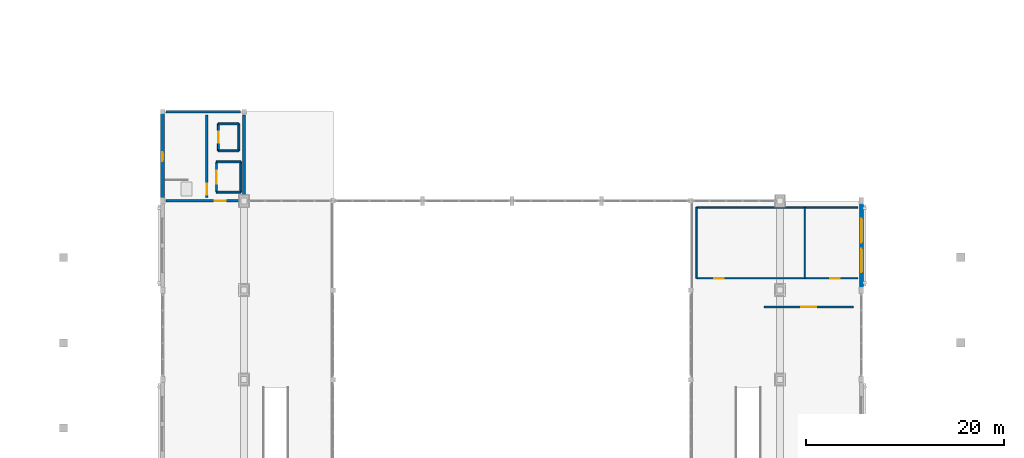
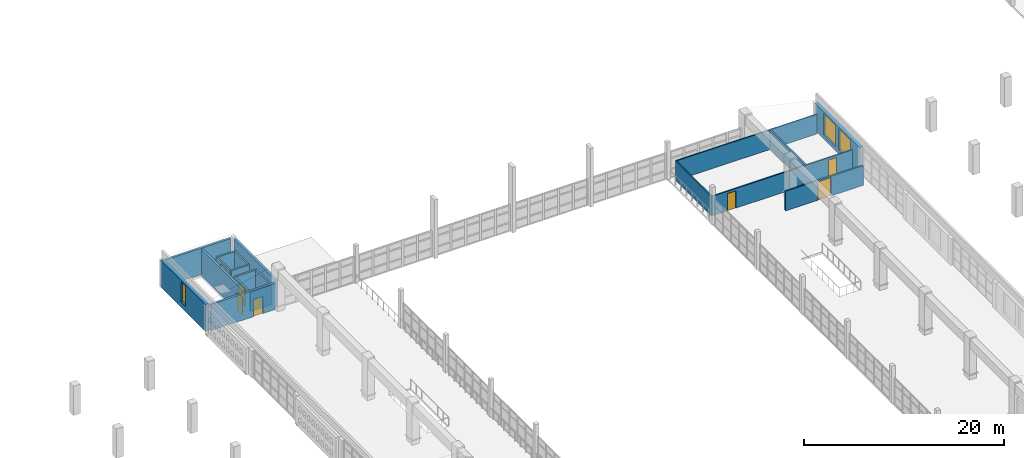
# One storey, part 67 of 80: 19 walls, 7 doors, 3 windows, 10 openings.
"""IFC4 building model written with IfcOpenShell, lengths in metres."""

from ifc_helpers import new_model, si_unit, direction, frame, frame_2d, origin, place, context, subcontext, project, spatial, rectangle, extrude, material, layer, layer_set, type_object, element, fill, save


model = new_model("IFC4")

# Units and contexts
model_context = context("Model", 3, precision=1e-05, world=origin(), true_north=direction((0.0, 1.0)))
body_context = subcontext(model_context, "Body", "Model", "MODEL_VIEW")
ifc_project = project(units=[si_unit("LENGTHUNIT", "METRE"), si_unit("AREAUNIT", "SQUARE_METRE"), si_unit("VOLUMEUNIT", "CUBIC_METRE"), si_unit("PLANEANGLEUNIT", "RADIAN"), si_unit("MASSUNIT", "GRAM", prefix="KILO")], contexts=[model_context])

# Site, building, storey
site_placement = place(None, origin())
site = spatial("IfcSite", under=ifc_project, at=site_placement, CompositionType="ELEMENT")
building_placement = place(site_placement, origin())
building = spatial("IfcBuilding", under=site, at=building_placement, Name="Ornek Quay Market", CompositionType="ELEMENT")
storey_placement = place(building_placement, frame((0.0, 0.0, 8.39990234375)))
storey = spatial("IfcBuildingStorey", under=building, at=storey_placement, Name="L02", CompositionType="ELEMENT", Elevation=8.39990234375)

# Wall, opening, door
ifc_material_1 = material(Name="Concrete C40/50", Category="concrete")
ifc_layer_1 = layer(ifc_material_1, 0.260009765625, Name="Concrete C40/50", Category="concrete")
ifc_layer_set_1 = layer_set([ifc_layer_1], Name="Concrete C40/50")
wall_type_1 = type_object("IfcWallType", Name="WL-CORE-260", PredefinedType="SHEAR", material=ifc_layer_set_1)
wall_1_placement = place(storey_placement, frame((59.25, 92.35009765625, 0.0), z_axis=(0.0, 0.0, 1.0), x_axis=(0.0, 1.0, 0.0)))
wall_1 = element("IfcWall", 1, at=wall_1_placement, inside=storey, type_object=wall_type_1, Name="Interior wall W-CORE2-062", PredefinedType="SHEAR", context=body_context, shape_type="SweptSolid", body=[
    extrude(rectangle(XDim=8.2998046875, YDim=0.260009765625, at=frame_2d((4.14990234375, 0.0))), origin(), (0.0, 0.0, 1.0), 3.2001953125),
])
opening_1_placement = place(wall_1_placement, frame((0.25, 0.0, 0.0)))
opening_1 = element("IfcOpeningElement", 2, at=opening_1_placement, cuts=wall_1, Name="Opening FD-03-026", PredefinedType="OPENING", context=body_context, shape_type="SweptSolid", body=[
    extrude(rectangle(XDim=1.14990234375, YDim=2.14990234375, at=frame_2d((0.574951171875, 1.074951171875))), frame((0.0, 0.139892578125, 0.0), z_axis=(0.0, -1.0, 0.0), x_axis=(1.0, 0.0, 0.0)), (0.0, 0.0, 1.0), 0.280029296875),
])
ifc_material_2 = material(Name="Insulated fire-rated painted steel", Category="steel")
door_type_1 = type_object("IfcDoorType", Name="DR-FIRE-STAIR-1150x2150", OperationType="NOTDEFINED", PredefinedType="DOOR", material=ifc_material_2)
door_1_placement = place(opening_1_placement, origin())
door_1 = element("IfcDoor", 3, at=door_1_placement, inside=storey, type_object=door_type_1, Name="Interior door FD-03-026", OperationType="SINGLE_SWING_LEFT", OverallHeight=2.14990234375, OverallWidth=1.14990234375, PredefinedType="DOOR", context=body_context, shape_type="SweptSolid", body=[
    extrude(rectangle(XDim=1.14990234375, YDim=2.14990234375, at=frame_2d((0.574951171875, 1.074951171875))), frame((0.0, 0.02490234375, 0.0), z_axis=(0.0, -1.0, 0.0), x_axis=(1.0, 0.0, 0.0)), (0.0, 0.0, 1.0), 0.050048828125),
])
fill(opening_1, door_1)

# Wall
wall_2_placement = place(storey_placement, frame((63.0, 92.35009765625, 0.0), z_axis=(0.0, 0.0, 1.0), x_axis=(0.0, 1.0, 0.0)))
element("IfcWall", 4, at=wall_2_placement, inside=storey, type_object=wall_type_1, Name="Interior wall W-CORE2-063", PredefinedType="SHEAR", context=body_context, shape_type="SweptSolid", body=[
    extrude(rectangle(XDim=8.2998046875, YDim=0.260009765625, at=frame_2d((4.14990234375, 0.0))), origin(), (0.0, 0.0, 1.0), 3.2001953125),
])

# Wall, opening, door
wall_3_placement = place(storey_placement, frame((55.14990234375, 92.0, 0.0), z_axis=(0.0, 0.0, 1.0), x_axis=(1.0, 0.0, 0.0)))
wall_3 = element("IfcWall", 5, at=wall_3_placement, inside=storey, type_object=wall_type_1, Name="Interior wall W-CORE2-064", PredefinedType="SHEAR", context=body_context, shape_type="SweptSolid", body=[
    extrude(rectangle(XDim=7.5, YDim=0.260009765625, at=frame_2d((3.75, 0.0))), origin(), (0.0, 0.0, 1.0), 3.2001953125),
])
opening_2_placement = place(wall_3_placement, frame((4.89990234375, 0.0, 0.0)))
opening_2 = element("IfcOpeningElement", 6, at=opening_2_placement, cuts=wall_3, Name="Opening FD-04-027", PredefinedType="OPENING", context=body_context, shape_type="SweptSolid", body=[
    extrude(rectangle(XDim=1.10009765625, YDim=2.10009765625, at=frame_2d((0.550048828125, 1.050048828125))), frame((0.0, 0.139892578125, 0.0), z_axis=(0.0, -1.0, 0.0), x_axis=(1.0, 0.0, 0.0)), (0.0, 0.0, 1.0), 0.280029296875),
])
door_type_2 = type_object("IfcDoorType", Name="DR-FIRE-LOBBY-1100x2100", OperationType="NOTDEFINED", PredefinedType="DOOR", material=ifc_material_2)
door_2_placement = place(opening_2_placement, origin())
door_2 = element("IfcDoor", 7, at=door_2_placement, inside=storey, type_object=door_type_2, Name="Interior door FD-04-027", OperationType="SINGLE_SWING_RIGHT", OverallHeight=2.10009765625, OverallWidth=1.10009765625, PredefinedType="DOOR", context=body_context, shape_type="SweptSolid", body=[
    extrude(rectangle(XDim=1.10009765625, YDim=2.10009765625, at=frame_2d((0.550048828125, 1.050048828125))), frame((0.0, 0.02490234375, 0.0), z_axis=(0.0, -1.0, 0.0), x_axis=(1.0, 0.0, 0.0)), (0.0, 0.0, 1.0), 0.050048828125),
])
fill(opening_2, door_2)

# Wall
wall_4_placement = place(storey_placement, frame((55.14990234375, 101.0, 0.0), z_axis=(0.0, 0.0, 1.0), x_axis=(1.0, 0.0, 0.0)))
element("IfcWall", 8, at=wall_4_placement, inside=storey, type_object=wall_type_1, Name="Interior wall W-CORE2-065", PredefinedType="SHEAR", context=body_context, shape_type="SweptSolid", body=[
    extrude(rectangle(XDim=7.5, YDim=0.260009765625, at=frame_2d((3.75, 0.0))), origin(), (0.0, 0.0, 1.0), 3.2001953125),
])

# Wall, opening, door
ifc_material_3 = material(Name="Autoclaved aerated concrete masonry", Category="masonry")
ifc_layer_2 = layer(ifc_material_3, 0.179931640625, Name="Autoclaved aerated concrete masonry", Category="masonry")
ifc_layer_set_2 = layer_set([ifc_layer_2], Name="Autoclaved aerated concrete masonry")
wall_type_2 = type_object("IfcWallType", Name="WL-CORR-180", PredefinedType="STANDARD", material=ifc_layer_set_2)
wall_5_placement = place(storey_placement, frame((115.39990234375, 81.300048828125, 0.0), z_axis=(0.0, 0.0, 1.0), x_axis=(1.0, 0.0, 0.0)))
wall_5 = element("IfcWall", 9, at=wall_5_placement, inside=storey, type_object=wall_type_2, Name="Interior wall W-INT1-380", PredefinedType="STANDARD", context=body_context, shape_type="SweptSolid", body=[
    extrude(rectangle(XDim=9.0, YDim=0.179931640625, at=frame_2d((4.5, 0.0))), origin(), (0.0, 0.0, 1.0), 2.400146484375),
])
opening_3_placement = place(wall_5_placement, frame((3.75, 0.0, 0.0)))
opening_3 = element("IfcOpeningElement", 10, at=opening_3_placement, cuts=wall_5, Name="Opening ID-01-184", PredefinedType="OPENING", context=body_context, shape_type="SweptSolid", body=[
    extrude(rectangle(XDim=1.5, YDim=2.25, at=frame_2d((0.75, 1.125))), frame((0.0, 0.099853515625, 0.0), z_axis=(0.0, -1.0, 0.0), x_axis=(1.0, 0.0, 0.0)), (0.0, 0.0, 1.0), 0.199951171875),
])
ifc_material_4 = material(Name="Solid oak and laminated glass door", Category="glass")
door_type_3 = type_object("IfcDoorType", Name="DR-INT-SHOP-1500x2250", OperationType="DOUBLE_DOOR_SINGLE_SWING", PredefinedType="DOOR", material=ifc_material_4)
door_3_placement = place(opening_3_placement, origin())
door_3 = element("IfcDoor", 11, at=door_3_placement, inside=storey, type_object=door_type_3, Name="Interior door ID-01-184", OperationType="DOUBLE_DOOR_SINGLE_SWING", OverallHeight=2.25, OverallWidth=1.5, PredefinedType="DOOR", context=body_context, shape_type="SweptSolid", body=[
    extrude(rectangle(XDim=1.5, YDim=2.25, at=frame_2d((0.75, 1.125))), frame((0.0, 0.02490234375, 0.0), z_axis=(0.0, -1.0, 0.0), x_axis=(1.0, 0.0, 0.0)), (0.0, 0.0, 1.0), 0.050048828125),
])
fill(opening_3, door_3)

# Wall, opening, window
ifc_material_5 = material(Name="Frost-resistant facing clay brick M200 F100", Category="masonry")
ifc_layer_3 = layer(ifc_material_5, 0.419921875, Name="Frost-resistant facing clay brick M200 F100", Category="masonry")
ifc_layer_set_3 = layer_set([ifc_layer_3], Name="Frost-resistant facing clay brick M200 F100")
wall_type_3 = type_object("IfcWallType", Name="WL-EXT-HALL-420", PredefinedType="STANDARD", material=ifc_layer_set_3)
wall_6_placement = place(storey_placement, frame((54.800048828125, 92.0, 0.0), z_axis=(0.0, 0.0, 1.0), x_axis=(0.0, 1.0, 0.0)))
wall_6 = element("IfcWall", 12, at=wall_6_placement, inside=storey, type_object=wall_type_3, Name="Exterior wall EW-112", PredefinedType="STANDARD", context=body_context, shape_type="SweptSolid", body=[
    extrude(rectangle(XDim=9.0, YDim=0.419921875, at=frame_2d((4.5, 0.0))), origin(), (0.0, 0.0, 1.0), 3.2900390625),
])
opening_4_placement = place(wall_6_placement, frame((4.0, 0.0, 0.7099609375)))
opening_4 = element("IfcOpeningElement", 13, at=opening_4_placement, cuts=wall_6, Name="Opening W-17-071", PredefinedType="OPENING", context=body_context, shape_type="SweptSolid", body=[
    extrude(rectangle(XDim=0.89990234375, YDim=2.39990234375, at=frame_2d((0.449951171875, 1.199951171875))), frame((0.0, 0.219970703125, 0.0), z_axis=(0.0, -1.0, 0.0), x_axis=(1.0, 0.0, 0.0)), (0.0, 0.0, 1.0), 0.43994140625),
])
ifc_material_6 = material(Name="Thermally broken bronze aluminium and triple low-e glass", Category="aluminium")
window_type_1 = type_object("IfcWindowType", Name="WN-CORE-900x2400", PartitioningType="SINGLE_PANEL", PredefinedType="WINDOW", material=ifc_material_6)
window_1_placement = place(opening_4_placement, origin())
window_1 = element("IfcWindow", 14, at=window_1_placement, inside=storey, type_object=window_type_1, Name="Window W-17-071", OverallHeight=2.39990234375, OverallWidth=0.89990234375, PartitioningType="SINGLE_PANEL", PredefinedType="WINDOW", context=body_context, shape_type="SweptSolid", body=[
    extrude(rectangle(XDim=0.89990234375, YDim=2.39990234375, at=frame_2d((0.449951171875, 1.199951171875))), frame((0.0, 0.030029296875, 0.0), z_axis=(0.0, -1.0, 0.0), x_axis=(1.0, 0.0, 0.0)), (0.0, 0.0, 1.0), 0.06005859375),
])
fill(opening_4, window_1)

# Wall, openings, windows
wall_7_placement = place(storey_placement, frame((125.199951171875, 83.0, 0.0), z_axis=(0.0, 0.0, 1.0), x_axis=(0.0, 1.0, 0.0)))
wall_7 = element("IfcWall", 15, at=wall_7_placement, inside=storey, type_object=wall_type_3, Name="Exterior wall EW-148", PredefinedType="STANDARD", context=body_context, shape_type="SweptSolid", body=[
    extrude(rectangle(XDim=9.0, YDim=0.419921875, at=frame_2d((4.5, 0.0))), origin(), (0.0, 0.0, 1.0), 3.2900390625),
])
opening_5_placement = place(wall_7_placement, frame((1.800048828125, 0.0, 0.510009765625)))
opening_5 = element("IfcOpeningElement", 16, at=opening_5_placement, cuts=wall_7, Name="Opening W-01-124", PredefinedType="OPENING", context=body_context, shape_type="SweptSolid", body=[
    extrude(rectangle(XDim=2.39990234375, YDim=2.60009765625, at=frame_2d((1.199951171875, 1.300048828125))), frame((0.0, 0.219970703125, 0.0), z_axis=(0.0, -1.0, 0.0), x_axis=(1.0, 0.0, 0.0)), (0.0, 0.0, 1.0), 0.43994140625),
])
opening_6_placement = place(wall_7_placement, frame((4.800048828125, 0.0, 0.510009765625)))
opening_6 = element("IfcOpeningElement", 17, at=opening_6_placement, cuts=wall_7, Name="Opening W-01-125", PredefinedType="OPENING", context=body_context, shape_type="SweptSolid", body=[
    extrude(rectangle(XDim=2.39990234375, YDim=2.60009765625, at=frame_2d((1.199951171875, 1.300048828125))), frame((0.0, 0.219970703125, 0.0), z_axis=(0.0, -1.0, 0.0), x_axis=(1.0, 0.0, 0.0)), (0.0, 0.0, 1.0), 0.43994140625),
])
window_type_2 = type_object("IfcWindowType", Name="WN-HALL-2400x2600", PartitioningType="DOUBLE_PANEL_VERTICAL", PredefinedType="WINDOW", material=ifc_material_6)
window_2_placement = place(opening_5_placement, origin())
window_2 = element("IfcWindow", 18, at=window_2_placement, inside=storey, type_object=window_type_2, Name="Window W-01-124", OverallHeight=2.60009765625, OverallWidth=2.39990234375, PartitioningType="SINGLE_PANEL", PredefinedType="WINDOW", context=body_context, shape_type="SweptSolid", body=[
    extrude(rectangle(XDim=2.39990234375, YDim=2.60009765625, at=frame_2d((1.199951171875, 1.300048828125))), frame((0.0, 0.030029296875, 0.0), z_axis=(0.0, -1.0, 0.0), x_axis=(1.0, 0.0, 0.0)), (0.0, 0.0, 1.0), 0.06005859375),
])
fill(opening_5, window_2)
window_3_placement = place(opening_6_placement, origin())
window_3 = element("IfcWindow", 19, at=window_3_placement, inside=storey, type_object=window_type_2, Name="Window W-01-125", OverallHeight=2.60009765625, OverallWidth=2.39990234375, PartitioningType="SINGLE_PANEL", PredefinedType="WINDOW", context=body_context, shape_type="SweptSolid", body=[
    extrude(rectangle(XDim=2.39990234375, YDim=2.60009765625, at=frame_2d((1.199951171875, 1.300048828125))), frame((0.0, 0.030029296875, 0.0), z_axis=(0.0, -1.0, 0.0), x_axis=(1.0, 0.0, 0.0)), (0.0, 0.0, 1.0), 0.06005859375),
])
fill(opening_6, window_3)

# Wall, opening, door
ifc_material_7 = material(Name="Concrete C35/45", Category="concrete")
ifc_layer_4 = layer(ifc_material_7, 0.199951171875, Name="Concrete C35/45", Category="concrete")
ifc_layer_set_4 = layer_set([ifc_layer_4], Name="Concrete C35/45")
wall_type_4 = type_object("IfcWallType", Name="WL-SHAFT-200", PredefinedType="SOLIDWALL", material=ifc_layer_set_4)
wall_8_placement = place(storey_placement, frame((60.2099609375, 92.8798828125, 0.0), z_axis=(0.0, 0.0, 1.0), x_axis=(0.0, 1.0, 0.0)))
wall_8 = element("IfcWall", 20, at=wall_8_placement, inside=storey, type_object=wall_type_4, Name="Interior wall W-CORE3-066", PredefinedType="SOLIDWALL", context=body_context, shape_type="SweptSolid", body=[
    extrude(rectangle(XDim=3.0400390625, YDim=0.199951171875, at=frame_2d((1.52001953125, 0.0))), origin(), (0.0, 0.0, 1.0), 2.400146484375),
])
opening_7_placement = place(wall_8_placement, frame((0.8701171875, 0.0, 0.0)))
opening_7 = element("IfcOpeningElement", 21, at=opening_7_placement, cuts=wall_8, Name="Opening LD-02-028", PredefinedType="OPENING", context=body_context, shape_type="SweptSolid", body=[
    extrude(rectangle(XDim=1.300048828125, YDim=2.199951171875, at=frame_2d((0.64990234375, 1.10009765625))), frame((0.0, 0.10986328125, 0.0), z_axis=(0.0, -1.0, 0.0), x_axis=(1.0, 0.0, 0.0)), (0.0, 0.0, 1.0), 0.219970703125),
])
ifc_material_8 = material(Name="Brushed stainless steel goods lift door", Category="steel")
door_type_4 = type_object("IfcDoorType", Name="DR-LIFT-1300x2200", OperationType="DOUBLE_DOOR_SLIDING", PredefinedType="DOOR", material=ifc_material_8)
door_4_placement = place(opening_7_placement, origin())
door_4 = element("IfcDoor", 22, at=door_4_placement, inside=storey, type_object=door_type_4, Name="Interior door LD-02-028", OperationType="DOUBLE_DOOR_SLIDING", OverallHeight=2.199951171875, OverallWidth=1.300048828125, PredefinedType="DOOR", context=body_context, shape_type="SweptSolid", body=[
    extrude(rectangle(XDim=1.300048828125, YDim=2.199951171875, at=frame_2d((0.64990234375, 1.10009765625))), frame((0.0, 0.02490234375, 0.0), z_axis=(0.0, -1.0, 0.0), x_axis=(1.0, 0.0, 0.0)), (0.0, 0.0, 1.0), 0.050048828125),
])
fill(opening_7, door_4)

# Walls
for number, where, z_axis, x_axis, name in (
    (23, (60.2099609375, 92.8798828125, 0.0), (0.0, 0.0, 1.0), (1.0, 0.0, 0.0), "Interior wall W-CORE3-067"),
    (24, (60.2099609375, 95.919921875, 0.0), (0.0, 0.0, 1.0), (1.0, 0.0, 0.0), "Interior wall W-CORE3-068"),
):
    element("IfcWall", number, at=place(storey_placement, frame(where, z_axis=z_axis, x_axis=x_axis)), inside=storey, type_object=wall_type_4, Name=name, PredefinedType="SOLIDWALL", context=body_context, shape_type="SweptSolid", body=[
        extrude(rectangle(XDim=2.47998046875, YDim=0.199951171875, at=frame_2d((1.239990234375, 0.0))), origin(), (0.0, 0.0, 1.0), 2.400146484375),
    ])
wall_9_placement = place(storey_placement, frame((62.68994140625, 92.8798828125, 0.0), z_axis=(0.0, 0.0, 1.0), x_axis=(0.0, 1.0, 0.0)))
element("IfcWall", 25, at=wall_9_placement, inside=storey, type_object=wall_type_4, Name="Interior wall W-CORE3-069", PredefinedType="SOLIDWALL", context=body_context, shape_type="SweptSolid", body=[
    extrude(rectangle(XDim=3.0400390625, YDim=0.199951171875, at=frame_2d((1.52001953125, 0.0))), origin(), (0.0, 0.0, 1.0), 2.400146484375),
])

# Wall, opening, door
wall_10_placement = place(storey_placement, frame((60.409912109375, 97.030029296875, 0.0), z_axis=(0.0, 0.0, 1.0), x_axis=(0.0, 1.0, 0.0)))
wall_10 = element("IfcWall", 26, at=wall_10_placement, inside=storey, type_object=wall_type_4, Name="Interior wall W-CORE3-070", PredefinedType="SOLIDWALL", context=body_context, shape_type="SweptSolid", body=[
    extrude(rectangle(XDim=2.739990234375, YDim=0.199951171875, at=frame_2d((1.3701171875, 0.0))), origin(), (0.0, 0.0, 1.0), 2.400146484375),
])
opening_8_placement = place(wall_10_placement, frame((0.820068359375, 0.0, 0.0)))
opening_8 = element("IfcOpeningElement", 27, at=opening_8_placement, cuts=wall_10, Name="Opening LD-01-029", PredefinedType="OPENING", context=body_context, shape_type="SweptSolid", body=[
    extrude(rectangle(XDim=1.10009765625, YDim=2.10009765625, at=frame_2d((0.550048828125, 1.050048828125))), frame((0.0, 0.10986328125, 0.0), z_axis=(0.0, -1.0, 0.0), x_axis=(1.0, 0.0, 0.0)), (0.0, 0.0, 1.0), 0.219970703125),
])
ifc_material_9 = material(Name="Brushed stainless steel landing door", Category="steel")
door_type_5 = type_object("IfcDoorType", Name="DR-LIFT-1100x2100", OperationType="SLIDING_TO_LEFT", PredefinedType="DOOR", material=ifc_material_9)
door_5_placement = place(opening_8_placement, origin())
door_5 = element("IfcDoor", 28, at=door_5_placement, inside=storey, type_object=door_type_5, Name="Interior door LD-01-029", OperationType="SLIDING_TO_LEFT", OverallHeight=2.10009765625, OverallWidth=1.10009765625, PredefinedType="DOOR", context=body_context, shape_type="SweptSolid", body=[
    extrude(rectangle(XDim=1.10009765625, YDim=2.10009765625, at=frame_2d((0.550048828125, 1.050048828125))), frame((0.0, 0.02490234375, 0.0), z_axis=(0.0, -1.0, 0.0), x_axis=(1.0, 0.0, 0.0)), (0.0, 0.0, 1.0), 0.050048828125),
])
fill(opening_8, door_5)

# Walls
for number, where, z_axis, x_axis, name in (
    (29, (60.409912109375, 97.030029296875, 0.0), (0.0, 0.0, 1.0), (1.0, 0.0, 0.0), "Interior wall W-CORE3-071"),
    (30, (60.409912109375, 99.77001953125, 0.0), (0.0, 0.0, 1.0), (1.0, 0.0, 0.0), "Interior wall W-CORE3-072"),
):
    element("IfcWall", number, at=place(storey_placement, frame(where, z_axis=z_axis, x_axis=x_axis)), inside=storey, type_object=wall_type_4, Name=name, PredefinedType="SOLIDWALL", context=body_context, shape_type="SweptSolid", body=[
        extrude(rectangle(XDim=2.080078125, YDim=0.199951171875, at=frame_2d((1.0400390625, 0.0))), origin(), (0.0, 0.0, 1.0), 2.400146484375),
    ])
wall_11_placement = place(storey_placement, frame((62.489990234375, 97.030029296875, 0.0), z_axis=(0.0, 0.0, 1.0), x_axis=(0.0, 1.0, 0.0)))
element("IfcWall", 31, at=wall_11_placement, inside=storey, type_object=wall_type_4, Name="Interior wall W-CORE3-073", PredefinedType="SOLIDWALL", context=body_context, shape_type="SweptSolid", body=[
    extrude(rectangle(XDim=2.739990234375, YDim=0.199951171875, at=frame_2d((1.3701171875, 0.0))), origin(), (0.0, 0.0, 1.0), 2.400146484375),
])

# Wall, openings, doors
ifc_material_10 = material(Name="Moisture-resistant masonry partition", Category="masonry")
ifc_layer_5 = layer(ifc_material_10, 0.139892578125, Name="Moisture-resistant masonry partition", Category="masonry")
ifc_layer_set_5 = layer_set([ifc_layer_5], Name="Moisture-resistant masonry partition")
wall_type_5 = type_object("IfcWallType", Name="WL-WC-140", PredefinedType="PARTITIONING", material=ifc_layer_set_5)
wall_12_placement = place(storey_placement, frame((108.60009765625, 84.199951171875, 0.0), z_axis=(0.0, 0.0, 1.0), x_axis=(1.0, 0.0, 0.0)))
wall_12 = element("IfcWall", 32, at=wall_12_placement, inside=storey, type_object=wall_type_5, Name="Interior wall W-INT4-296", PredefinedType="PARTITIONING", context=body_context, shape_type="SweptSolid", body=[
    extrude(rectangle(XDim=16.25, YDim=0.139892578125, at=frame_2d((8.125, 0.0))), origin(), (0.0, 0.0, 1.0), 2.400146484375),
])
opening_9_placement = place(wall_12_placement, frame((1.800048828125, 0.0, 0.0)))
opening_9 = element("IfcOpeningElement", 33, at=opening_9_placement, cuts=wall_12, Name="Opening ID-04-131", PredefinedType="OPENING", context=body_context, shape_type="SweptSolid", body=[
    extrude(rectangle(XDim=0.949951171875, YDim=2.10009765625, at=frame_2d((0.47509765625, 1.050048828125))), frame((0.0, 0.079833984375, 0.0), z_axis=(0.0, -1.0, 0.0), x_axis=(1.0, 0.0, 0.0)), (0.0, 0.0, 1.0), 0.159912109375),
])
opening_10_placement = place(wall_12_placement, frame((13.449951171875, 0.0, 0.0)))
opening_10 = element("IfcOpeningElement", 34, at=opening_10_placement, cuts=wall_12, Name="Opening ID-04-132", PredefinedType="OPENING", context=body_context, shape_type="SweptSolid", body=[
    extrude(rectangle(XDim=0.949951171875, YDim=2.10009765625, at=frame_2d((0.47509765625, 1.050048828125))), frame((0.0, 0.079833984375, 0.0), z_axis=(0.0, -1.0, 0.0), x_axis=(1.0, 0.0, 0.0)), (0.0, 0.0, 1.0), 0.159912109375),
])
ifc_material_11 = material(Name="Moisture-resistant laminate door", Category="other")
door_type_6 = type_object("IfcDoorType", Name="DR-INT-WC-950x2100", OperationType="NOTDEFINED", PredefinedType="DOOR", material=ifc_material_11)
door_6_placement = place(opening_9_placement, origin())
door_6 = element("IfcDoor", 35, at=door_6_placement, inside=storey, type_object=door_type_6, Name="Interior door ID-04-131", OperationType="SINGLE_SWING_RIGHT", OverallHeight=2.10009765625, OverallWidth=0.949951171875, PredefinedType="DOOR", context=body_context, shape_type="SweptSolid", body=[
    extrude(rectangle(XDim=0.949951171875, YDim=2.10009765625, at=frame_2d((0.47509765625, 1.050048828125))), frame((0.0, 0.02490234375, 0.0), z_axis=(0.0, -1.0, 0.0), x_axis=(1.0, 0.0, 0.0)), (0.0, 0.0, 1.0), 0.050048828125),
])
fill(opening_9, door_6)
door_7_placement = place(opening_10_placement, origin())
door_7 = element("IfcDoor", 36, at=door_7_placement, inside=storey, type_object=door_type_6, Name="Interior door ID-04-132", OperationType="SINGLE_SWING_LEFT", OverallHeight=2.10009765625, OverallWidth=0.949951171875, PredefinedType="DOOR", context=body_context, shape_type="SweptSolid", body=[
    extrude(rectangle(XDim=0.949951171875, YDim=2.10009765625, at=frame_2d((0.47509765625, 1.050048828125))), frame((0.0, 0.02490234375, 0.0), z_axis=(0.0, -1.0, 0.0), x_axis=(1.0, 0.0, 0.0)), (0.0, 0.0, 1.0), 0.050048828125),
])
fill(opening_10, door_7)

# Walls
wall_13_placement = place(storey_placement, frame((108.60009765625, 84.199951171875, 0.0), z_axis=(0.0, 0.0, 1.0), x_axis=(0.0, 1.0, 0.0)))
element("IfcWall", 37, at=wall_13_placement, inside=storey, type_object=wall_type_5, Name="Interior wall W-INT4-391", PredefinedType="PARTITIONING", context=body_context, shape_type="SweptSolid", body=[
    extrude(rectangle(XDim=7.150146484375, YDim=0.139892578125, at=frame_2d((3.5751953125, 0.0))), origin(), (0.0, 0.0, 1.0), 2.400146484375),
])
wall_14_placement = place(storey_placement, frame((108.60009765625, 91.35009765625, 0.0), z_axis=(0.0, 0.0, 1.0), x_axis=(1.0, 0.0, 0.0)))
element("IfcWall", 38, at=wall_14_placement, inside=storey, type_object=wall_type_5, Name="Interior wall W-INT4-392", PredefinedType="PARTITIONING", context=body_context, shape_type="SweptSolid", body=[
    extrude(rectangle(XDim=16.25, YDim=0.139892578125, at=frame_2d((8.125, 0.0))), origin(), (0.0, 0.0, 1.0), 2.400146484375),
])
wall_15_placement = place(storey_placement, frame((119.5, 84.199951171875, 0.0), z_axis=(0.0, 0.0, 1.0), x_axis=(0.0, 1.0, 0.0)))
element("IfcWall", 39, at=wall_15_placement, inside=storey, type_object=wall_type_5, Name="Interior wall W-INT4-393", PredefinedType="PARTITIONING", context=body_context, shape_type="SweptSolid", body=[
    extrude(rectangle(XDim=7.150146484375, YDim=0.139892578125, at=frame_2d((3.5751953125, 0.0))), origin(), (0.0, 0.0, 1.0), 2.400146484375),
])

save(model, "model.ifc")
